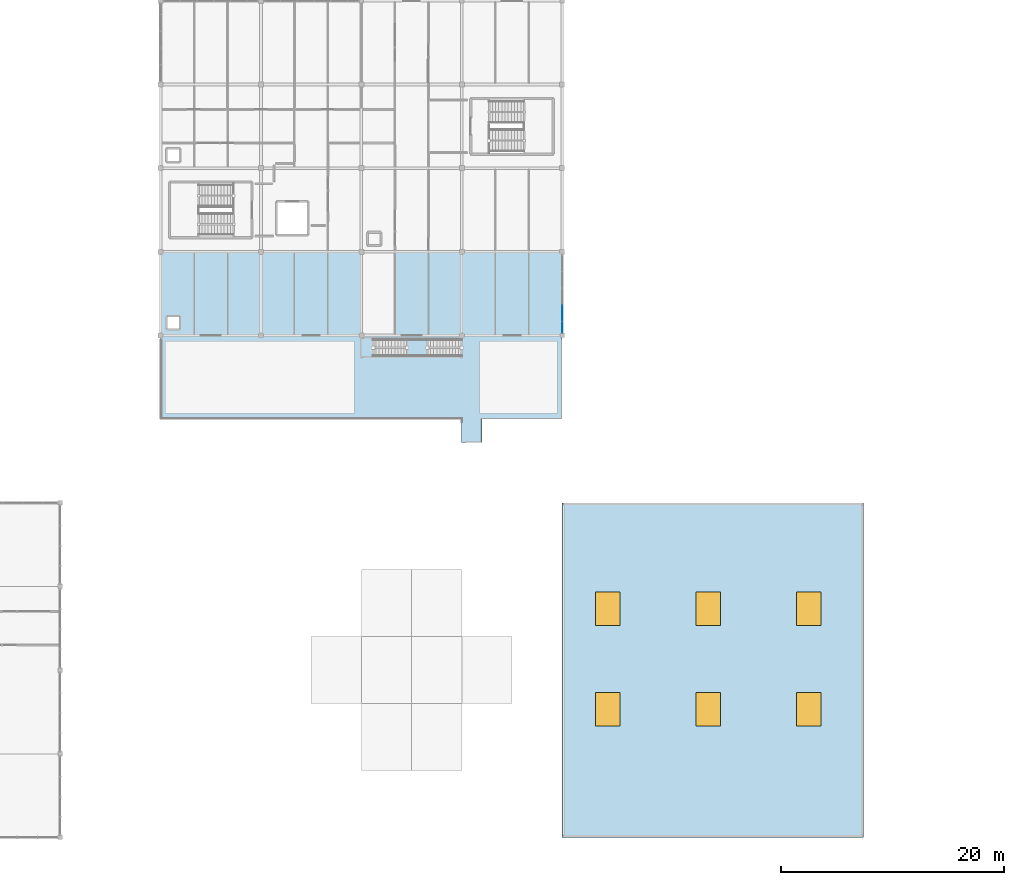
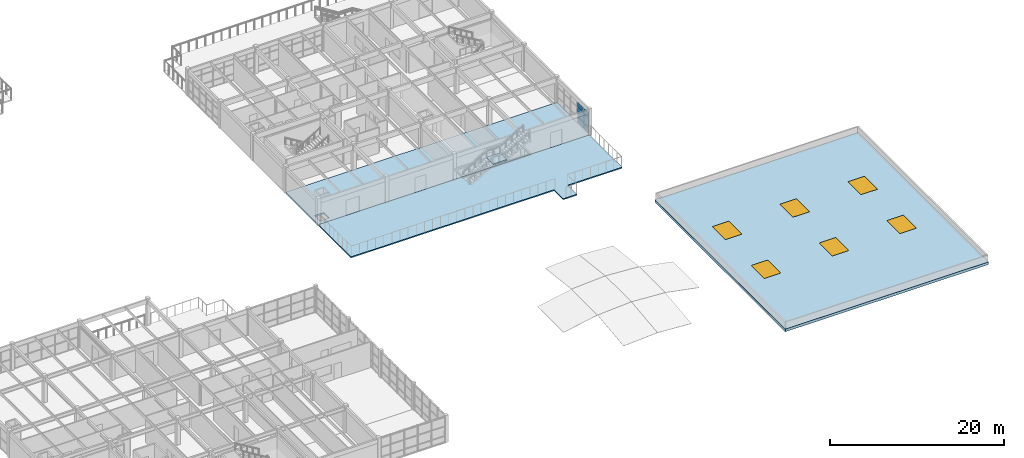
# One storey, part 25 of 45: 6 plates, 6 windows, 4 slabs, 6 openings, 2 elements without a shape of their own.
"""IFC4 building model written with IfcOpenShell, lengths in metres."""

from ifc_helpers import new_model, si_unit, direction, frame, origin, origin_2d, place, context, subcontext, project, spatial, polyline, rectangle, outline, extrude, material, layer, layer_set, type_object, element, fill, aggregate, save


model = new_model("IFC4")

# Units and contexts
model_context = context("Model", 3, precision=1e-05, world=origin(), true_north=direction((0.0, 1.0)))
body_context = subcontext(model_context, "Body", "Model", "MODEL_VIEW")
ifc_project = project(units=[si_unit("LENGTHUNIT", "METRE"), si_unit("AREAUNIT", "SQUARE_METRE"), si_unit("VOLUMEUNIT", "CUBIC_METRE"), si_unit("PLANEANGLEUNIT", "RADIAN"), si_unit("MASSUNIT", "GRAM", prefix="KILO")], contexts=[model_context])

# Site, building, storey
site_placement = place(None, origin())
site = spatial("IfcSite", under=ifc_project, at=site_placement, CompositionType="ELEMENT")
building_placement = place(site_placement, origin())
building = spatial("IfcBuilding", under=site, at=building_placement, Name="Marnridge Secondary College", CompositionType="ELEMENT")
storey_placement = place(building_placement, frame((0.0, 0.0, 12.300048828125)))
storey = spatial("IfcBuildingStorey", under=building, at=storey_placement, Name="L03", CompositionType="ELEMENT", Elevation=12.300048828125)

# Curtain wall, plates
ifc_material_1 = material(Name="Thermally broken aluminium and low-E glazing", Category="aluminium")
ifc_layer_1 = layer(ifc_material_1, 0.159912109375)
ifc_layer_set_1 = layer_set([ifc_layer_1], Name="CW-MOD-1500")
curtain_wall_type = type_object("IfcCurtainWallType", Name="CW-MOD-1500", PredefinedType="NOTDEFINED", material=ifc_layer_set_1)
curtain_wall_placement = place(storey_placement, origin())
curtain_wall = element("IfcCurtainWall", 1, at=curtain_wall_placement, inside=storey, type_object=curtain_wall_type, Name="Unitised curtain wall CW-L03-116", PredefinedType="NOTDEFINED")
ifc_material_2 = material(Name="Double-glazed low-E argon unit", Category="glass")
ifc_layer_2 = layer(ifc_material_2, 0.028076171875)
ifc_layer_set_2 = layer_set([ifc_layer_2], Name="CWP-GLZ28")
plate_type = type_object("IfcPlateType", Name="CWP-GLZ28", PredefinedType="CURTAIN_PANEL", material=ifc_layer_set_2)
plate_1_placement = place(storey_placement, frame((90.0, 46.990966796875, 0.059814453125), z_axis=(0.0, 0.0, 1.0), x_axis=(0.0, -1.0, 0.0)))
plate_1 = element("IfcPlate", 2, at=plate_1_placement, type_object=plate_type, Name="CW-L03-116 panel 4.1", PredefinedType="CURTAIN_PANEL", context=body_context, shape_type="SweptSolid", body=[
    extrude(rectangle(XDim=1.43994140625, YDim=0.028076171875, at=origin_2d()), origin(), (0.0, 0.0, 1.0), 0.81005859375),
])
plate_2_placement = place(storey_placement, frame((90.0, 46.990966796875, 0.929931640625), z_axis=(0.0, 0.0, 1.0), x_axis=(0.0, -1.0, 0.0)))
plate_2 = element("IfcPlate", 3, at=plate_2_placement, type_object=plate_type, Name="CW-L03-116 panel 4.2", PredefinedType="CURTAIN_PANEL", context=body_context, shape_type="SweptSolid", body=[
    extrude(rectangle(XDim=1.43994140625, YDim=0.028076171875, at=origin_2d()), origin(), (0.0, 0.0, 1.0), 1.2900390625),
])
plate_3_placement = place(storey_placement, frame((90.0, 46.990966796875, 2.280029296875), z_axis=(0.0, 0.0, 1.0), x_axis=(0.0, -1.0, 0.0)))
plate_3 = element("IfcPlate", 4, at=plate_3_placement, type_object=plate_type, Name="CW-L03-116 panel 4.3", PredefinedType="CURTAIN_PANEL", context=body_context, shape_type="SweptSolid", body=[
    extrude(rectangle(XDim=1.43994140625, YDim=0.028076171875, at=origin_2d()), origin(), (0.0, 0.0, 1.0), 0.70703125),
])
plate_4_placement = place(storey_placement, frame((90.0, 45.737548828125, 0.059814453125), z_axis=(0.0, 0.0, 1.0), x_axis=(0.0, -1.0, 0.0)))
plate_4 = element("IfcPlate", 5, at=plate_4_placement, type_object=plate_type, Name="CW-L03-116 panel 5.1", PredefinedType="CURTAIN_PANEL", context=body_context, shape_type="SweptSolid", body=[
    extrude(rectangle(XDim=0.947021484375, YDim=0.028076171875, at=origin_2d()), origin(), (0.0, 0.0, 1.0), 0.81005859375),
])
plate_5_placement = place(storey_placement, frame((90.0, 45.737548828125, 0.929931640625), z_axis=(0.0, 0.0, 1.0), x_axis=(0.0, -1.0, 0.0)))
plate_5 = element("IfcPlate", 6, at=plate_5_placement, type_object=plate_type, Name="CW-L03-116 panel 5.2", PredefinedType="CURTAIN_PANEL", context=body_context, shape_type="SweptSolid", body=[
    extrude(rectangle(XDim=0.947021484375, YDim=0.028076171875, at=origin_2d()), origin(), (0.0, 0.0, 1.0), 1.2900390625),
])
plate_6_placement = place(storey_placement, frame((90.0, 45.737548828125, 2.280029296875), z_axis=(0.0, 0.0, 1.0), x_axis=(0.0, -1.0, 0.0)))
plate_6 = element("IfcPlate", 7, at=plate_6_placement, type_object=plate_type, Name="CW-L03-116 panel 5.3", PredefinedType="CURTAIN_PANEL", context=body_context, shape_type="SweptSolid", body=[
    extrude(rectangle(XDim=0.947021484375, YDim=0.028076171875, at=origin_2d()), origin(), (0.0, 0.0, 1.0), 0.70703125),
])
aggregate(curtain_wall, [plate_1, plate_2, plate_3, plate_4, plate_5, plate_6])

# Slabs
ifc_material_3 = material(Name="Cross-laminated timber CL7", Category="wood")
ifc_layer_3 = layer(ifc_material_3, 0.22998046875)
ifc_layer_set_3 = layer_set([ifc_layer_3], Name="SL-CLT-230")
slab_type_1 = type_object("IfcSlabType", Name="SL-CLT-230", PredefinedType="FLOOR", material=ifc_layer_set_3)
slab_1_placement = place(storey_placement, frame((0.0, 0.0, -0.22998046875)))
element("IfcSlab", 8, at=slab_1_placement, inside=storey, type_object=slab_type_1, Name="Floor slab SL-L03-038", PredefinedType="FLOOR", context=body_context, shape_type="SweptSolid", body=[
    extrude(outline(polyline([(54.0, 52.5), (90.0, 52.5), (90.0, 45.0), (54.0, 45.0), (54.0, 52.5)]), holes=[polyline([(54.550048828125, 45.550048828125), (55.75, 45.550048828125), (55.75, 46.75), (54.550048828125, 46.75), (54.550048828125, 45.550048828125)])]), origin(), (0.0, 0.0, 1.0), 0.22998046875),
])
ifc_material_4 = material(Name="Cross-laminated timber CL5", Category="wood")
ifc_layer_4 = layer(ifc_material_4, 0.159912109375)
ifc_layer_set_4 = layer_set([ifc_layer_4], Name="SL-DECK-160")
slab_type_2 = type_object("IfcSlabType", Name="SL-DECK-160", PredefinedType="ROOF", material=ifc_layer_set_4)
slab_2_placement = place(storey_placement, frame((0.0, 0.0, -0.16015625)))
element("IfcSlab", 9, at=slab_2_placement, inside=storey, type_object=slab_type_2, Name="External deck slab SL-L03-057", PredefinedType="ROOF", context=body_context, shape_type="SweptSolid", body=[
    extrude(outline(polyline([(54.0, 37.5), (80.9599609375, 37.5), (80.9599609375, 35.39990234375), (82.800048828125, 35.39990234375), (82.800048828125, 37.5), (90.0, 37.5), (90.0, 45.0), (54.0, 45.0), (54.0, 37.5)])), origin(), (0.0, 0.0, 1.0), 0.16015625),
])

# Stair, slab
ifc_material_5 = material(Name="Precast concrete C40/50 (AS 3600 N40, 40 MPa)", Category="concrete")
stair_type = type_object("IfcStairType", Name="STZ1", PredefinedType="STRAIGHT_RUN_STAIR", material=ifc_material_5)
stair_placement = place(storey_placement, origin())
stair = element("IfcStair", 10, at=stair_placement, inside=storey, type_object=stair_type, Name="Exterior terrace stair ST-Z3", PredefinedType="STRAIGHT_RUN_STAIR")
ifc_material_6 = material(Name="Precast concrete C40/50 (AS 3600 N40, 40 MPa)", Category="concrete")
ifc_layer_5 = layer(ifc_material_6, 0.179931640625)
ifc_layer_set_5 = layer_set([ifc_layer_5], Name="SL-LAND-EXT180")
slab_type_3 = type_object("IfcSlabType", Name="SL-LAND-EXT180", PredefinedType="LANDING", material=ifc_layer_set_5)
slab_3_placement = place(storey_placement, frame((0.0, 0.0, 1.719970703125)))
slab_3 = element("IfcSlab", 11, at=slab_3_placement, type_object=slab_type_3, Name="ST-Z3 landing 1", PredefinedType="LANDING", context=body_context, shape_type="SweptSolid", body=[
    extrude(outline(polyline([(76.1201171875, 43.10009765625), (77.919921875, 43.10009765625), (77.919921875, 44.699951171875), (76.1201171875, 44.699951171875), (76.1201171875, 43.10009765625)])), origin(), (0.0, 0.0, 1.0), 0.179931640625),
])
aggregate(stair, [slab_3])

# Slab, openings, windows
ifc_material_7 = material(Name="Concrete C40/50 (AS 3600 N40, 40 MPa)", Category="concrete")
ifc_layer_6 = layer(ifc_material_7, 0.3798828125)
ifc_layer_set_6 = layer_set([ifc_layer_6], Name="SL-ROOF-380")
slab_type_4 = type_object("IfcSlabType", Name="SL-ROOF-380", PredefinedType="ROOF", material=ifc_layer_set_6)
slab_4_placement = place(storey_placement, frame((0.0, 0.0, -0.380126953125)))
slab_4 = element("IfcSlab", 12, at=slab_4_placement, inside=storey, type_object=slab_type_4, Name="Roof slab SR-L03-067", PredefinedType="ROOF", context=body_context, shape_type="SweptSolid", body=[
    extrude(outline(polyline([(90.0, 0.0), (117.0, 0.0), (117.0, 30.0), (90.0, 30.0), (90.0, 0.0)]), holes=[polyline([(93.0, 10.0), (95.199951171875, 10.0), (95.199951171875, 13.0), (93.0, 13.0), (93.0, 10.0)]), polyline([(102.0, 10.0), (104.199951171875, 10.0), (104.199951171875, 13.0), (102.0, 13.0), (102.0, 10.0)]), polyline([(111.0, 10.0), (113.199951171875, 10.0), (113.199951171875, 13.0), (111.0, 13.0), (111.0, 10.0)]), polyline([(93.0, 19.0), (95.199951171875, 19.0), (95.199951171875, 22.0), (93.0, 22.0), (93.0, 19.0)]), polyline([(102.0, 19.0), (104.199951171875, 19.0), (104.199951171875, 22.0), (102.0, 22.0), (102.0, 19.0)]), polyline([(111.0, 19.0), (113.199951171875, 19.0), (113.199951171875, 22.0), (111.0, 22.0), (111.0, 19.0)])]), origin(), (0.0, 0.0, 1.0), 0.380126953125),
])
opening_1_placement = place(slab_4_placement, frame((94.10009765625, 11.5, 0.0)))
opening_1 = element("IfcOpeningElement", 13, at=opening_1_placement, cuts=slab_4, Name="Opening SK-003", PredefinedType="OPENING", context=body_context, shape_type="SweptSolid", body=[
    extrude(rectangle(XDim=2.199951171875, YDim=3.0, at=origin_2d()), frame((0.0, 0.0, -0.010009765625)), (0.0, 0.0, 1.0), 0.400146484375),
])
opening_2_placement = place(slab_4_placement, frame((103.10009765625, 11.5, 0.0)))
opening_2 = element("IfcOpeningElement", 14, at=opening_2_placement, cuts=slab_4, Name="Opening SK-004", PredefinedType="OPENING", context=body_context, shape_type="SweptSolid", body=[
    extrude(rectangle(XDim=2.199951171875, YDim=3.0, at=origin_2d()), frame((0.0, 0.0, -0.010009765625)), (0.0, 0.0, 1.0), 0.400146484375),
])
opening_3_placement = place(slab_4_placement, frame((112.10009765625, 11.5, 0.0)))
opening_3 = element("IfcOpeningElement", 15, at=opening_3_placement, cuts=slab_4, Name="Opening SK-005", PredefinedType="OPENING", context=body_context, shape_type="SweptSolid", body=[
    extrude(rectangle(XDim=2.199951171875, YDim=3.0, at=origin_2d()), frame((0.0, 0.0, -0.010009765625)), (0.0, 0.0, 1.0), 0.400146484375),
])
opening_4_placement = place(slab_4_placement, frame((94.10009765625, 20.5, 0.0)))
opening_4 = element("IfcOpeningElement", 16, at=opening_4_placement, cuts=slab_4, Name="Opening SK-006", PredefinedType="OPENING", context=body_context, shape_type="SweptSolid", body=[
    extrude(rectangle(XDim=2.199951171875, YDim=3.0, at=origin_2d()), frame((0.0, 0.0, -0.010009765625)), (0.0, 0.0, 1.0), 0.400146484375),
])
opening_5_placement = place(slab_4_placement, frame((103.10009765625, 20.5, 0.0)))
opening_5 = element("IfcOpeningElement", 17, at=opening_5_placement, cuts=slab_4, Name="Opening SK-007", PredefinedType="OPENING", context=body_context, shape_type="SweptSolid", body=[
    extrude(rectangle(XDim=2.199951171875, YDim=3.0, at=origin_2d()), frame((0.0, 0.0, -0.010009765625)), (0.0, 0.0, 1.0), 0.400146484375),
])
opening_6_placement = place(slab_4_placement, frame((112.10009765625, 20.5, 0.0)))
opening_6 = element("IfcOpeningElement", 18, at=opening_6_placement, cuts=slab_4, Name="Opening SK-008", PredefinedType="OPENING", context=body_context, shape_type="SweptSolid", body=[
    extrude(rectangle(XDim=2.199951171875, YDim=3.0, at=origin_2d()), frame((0.0, 0.0, -0.010009765625)), (0.0, 0.0, 1.0), 0.400146484375),
])
ifc_material_8 = material(Name="Thermally broken insulated roof skylight", Category="glass")
window_type = type_object("IfcWindowType", Name="SK-ROOF-2230", PartitioningType="DOUBLE_PANEL_VERTICAL", PredefinedType="SKYLIGHT", material=ifc_material_8)
window_1_placement = place(opening_1_placement, origin())
window_1 = element("IfcWindow", 19, at=window_1_placement, inside=storey, type_object=window_type, Name="Roof skylight SK-003", OverallHeight=3.0, OverallWidth=2.199951171875, PartitioningType="SINGLE_PANEL", PredefinedType="SKYLIGHT", context=body_context, shape_type="SweptSolid", body=[
    extrude(rectangle(XDim=2.199951171875, YDim=3.0, at=origin_2d()), origin(), (0.0, 0.0, 1.0), 0.380126953125),
])
fill(opening_1, window_1)
window_2_placement = place(opening_2_placement, origin())
window_2 = element("IfcWindow", 20, at=window_2_placement, inside=storey, type_object=window_type, Name="Roof skylight SK-004", OverallHeight=3.0, OverallWidth=2.199951171875, PartitioningType="SINGLE_PANEL", PredefinedType="SKYLIGHT", context=body_context, shape_type="SweptSolid", body=[
    extrude(rectangle(XDim=2.199951171875, YDim=3.0, at=origin_2d()), origin(), (0.0, 0.0, 1.0), 0.380126953125),
])
fill(opening_2, window_2)
window_3_placement = place(opening_3_placement, origin())
window_3 = element("IfcWindow", 21, at=window_3_placement, inside=storey, type_object=window_type, Name="Roof skylight SK-005", OverallHeight=3.0, OverallWidth=2.199951171875, PartitioningType="SINGLE_PANEL", PredefinedType="SKYLIGHT", context=body_context, shape_type="SweptSolid", body=[
    extrude(rectangle(XDim=2.199951171875, YDim=3.0, at=origin_2d()), origin(), (0.0, 0.0, 1.0), 0.380126953125),
])
fill(opening_3, window_3)
window_4_placement = place(opening_4_placement, origin())
window_4 = element("IfcWindow", 22, at=window_4_placement, inside=storey, type_object=window_type, Name="Roof skylight SK-006", OverallHeight=3.0, OverallWidth=2.199951171875, PartitioningType="SINGLE_PANEL", PredefinedType="SKYLIGHT", context=body_context, shape_type="SweptSolid", body=[
    extrude(rectangle(XDim=2.199951171875, YDim=3.0, at=origin_2d()), origin(), (0.0, 0.0, 1.0), 0.380126953125),
])
fill(opening_4, window_4)
window_5_placement = place(opening_5_placement, origin())
window_5 = element("IfcWindow", 23, at=window_5_placement, inside=storey, type_object=window_type, Name="Roof skylight SK-007", OverallHeight=3.0, OverallWidth=2.199951171875, PartitioningType="SINGLE_PANEL", PredefinedType="SKYLIGHT", context=body_context, shape_type="SweptSolid", body=[
    extrude(rectangle(XDim=2.199951171875, YDim=3.0, at=origin_2d()), origin(), (0.0, 0.0, 1.0), 0.380126953125),
])
fill(opening_5, window_5)
window_6_placement = place(opening_6_placement, origin())
window_6 = element("IfcWindow", 24, at=window_6_placement, inside=storey, type_object=window_type, Name="Roof skylight SK-008", OverallHeight=3.0, OverallWidth=2.199951171875, PartitioningType="SINGLE_PANEL", PredefinedType="SKYLIGHT", context=body_context, shape_type="SweptSolid", body=[
    extrude(rectangle(XDim=2.199951171875, YDim=3.0, at=origin_2d()), origin(), (0.0, 0.0, 1.0), 0.380126953125),
])
fill(opening_6, window_6)

save(model, "model.ifc")
